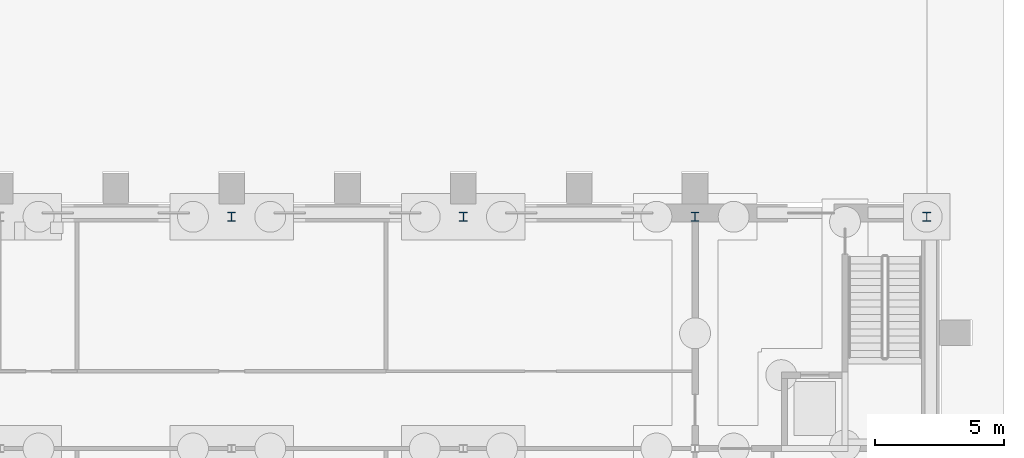
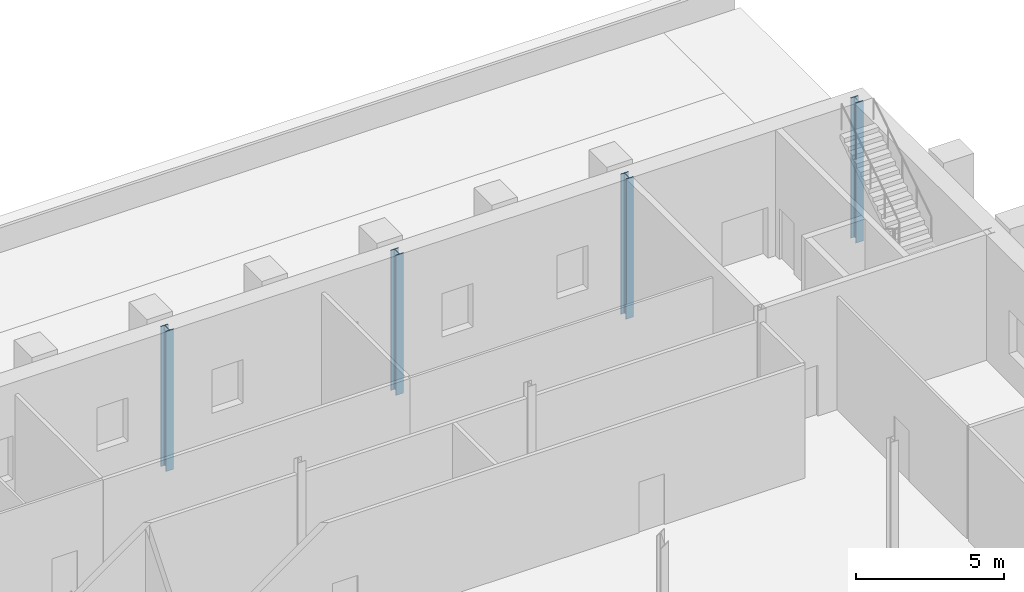
# One storey, part 35 of 168: 4 columns.
"""IFC4 building model written with IfcOpenShell, lengths in metres."""

from ifc_helpers import new_model, si_unit, direction, frame, origin, origin_2d, place, context, subcontext, project, spatial, i_section, extrude, material, material_profile, profile_set, type_object, element, save


model = new_model("IFC4")

# Units and contexts
model_context = context("Model", 3, precision=1e-05, world=origin(), true_north=direction((0.0, 1.0)))
body_context = subcontext(model_context, "Body", "Model", "MODEL_VIEW")
ifc_project = project(units=[si_unit("LENGTHUNIT", "METRE"), si_unit("AREAUNIT", "SQUARE_METRE"), si_unit("VOLUMEUNIT", "CUBIC_METRE"), si_unit("PLANEANGLEUNIT", "RADIAN"), si_unit("MASSUNIT", "GRAM", prefix="KILO")], contexts=[model_context])

# Site, building, storey
site_placement = place(None, origin())
site = spatial("IfcSite", under=ifc_project, at=site_placement, CompositionType="ELEMENT")
building_placement = place(site_placement, origin())
building = spatial("IfcBuilding", under=site, at=building_placement, Name="Golden Quay Civic Hall", CompositionType="ELEMENT")
storey_placement = place(building_placement, origin())
storey = spatial("IfcBuildingStorey", under=building, at=storey_placement, Name="L00", CompositionType="ELEMENT", Elevation=0.0)

# Columns
ifc_material = material(Name="Steel S355", Category="steel")
ifc_material_profile = material_profile(ifc_material, i_section(OverallWidth=0.300048828125, OverallDepth=0.360107421875, WebThickness=0.012451171875, FlangeThickness=0.0224609375, FilletRadius=0.027099609375, at=origin_2d()), Name="HEB 360")
ifc_profile_set = profile_set([ifc_material_profile], Name="Steel S355")
column_type = type_object("IfcColumnType", Name="Steel column HEB 360", PredefinedType="COLUMN", material=ifc_profile_set)
for number, where, z_axis, x_axis, name in (
    (1, (144.0, 99.0, -0.60009765625), (0.0, 0.0, 1.0), (1.0, 0.0, 0.0), "L00 column 144/99"),
    (2, (153.0, 99.0, -0.60009765625), (0.0, 0.0, 1.0), (1.0, 0.0, 0.0), "L00 column 153/99"),
    (3, (162.0, 99.0, -0.60009765625), (0.0, 0.0, 1.0), (1.0, 0.0, 0.0), "L00 column 162/99"),
    (4, (171.0, 99.0, -0.60009765625), (0.0, 0.0, 1.0), (1.0, 0.0, 0.0), "L00 column 171/99"),
):
    element("IfcColumn", number, at=place(storey_placement, frame(where, z_axis=z_axis, x_axis=x_axis)), inside=storey, type_object=column_type, Name=name, PredefinedType="COLUMN", context=body_context, shape_type="SweptSolid", body=[
        extrude(i_section(OverallWidth=0.300048828125, OverallDepth=0.360107421875, WebThickness=0.012451171875, FlangeThickness=0.0224609375, FilletRadius=0.027099609375, at=origin_2d()), origin(), (0.0, 0.0, 1.0), 5.800048828125),
    ])

save(model, "model.ifc")
